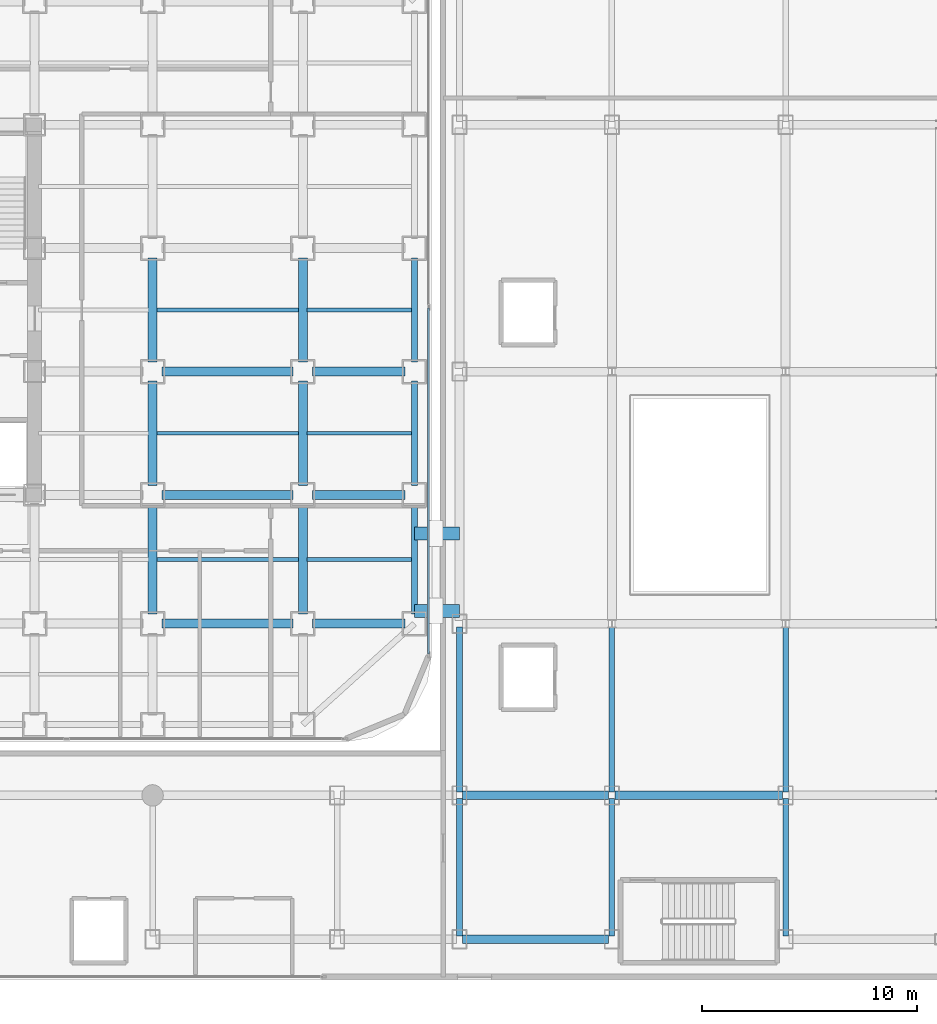
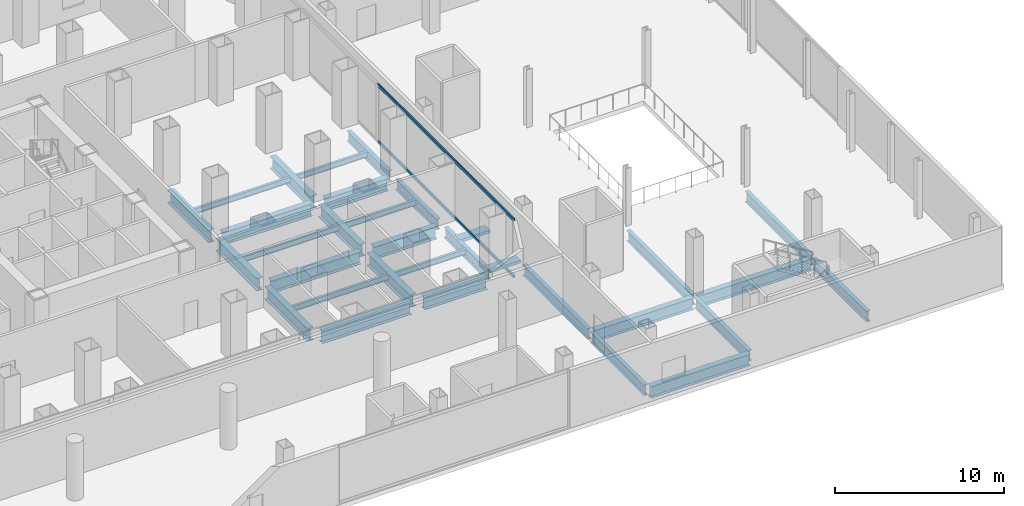
# One storey, part 11 of 26: 30 beams, 4 members, 1 element without a shape of its own.
"""IFC4 building model written with IfcOpenShell, lengths in metres."""

from ifc_helpers import new_model, si_unit, direction, frame, origin, origin_2d, place, context, subcontext, project, spatial, hollow_rectangle, i_section, extrude, source, transform, mapped, material, layer, layer_set, material_profile, profile_set, type_object, element, aggregate, save


model = new_model("IFC4")

# Units and contexts
model_context = context("Model", 3, precision=1e-05, world=origin(), true_north=direction((0.0, 1.0)))
body_context = subcontext(model_context, "Body", "Model", "MODEL_VIEW")
ifc_project = project(units=[si_unit("LENGTHUNIT", "METRE"), si_unit("AREAUNIT", "SQUARE_METRE"), si_unit("VOLUMEUNIT", "CUBIC_METRE"), si_unit("PLANEANGLEUNIT", "RADIAN"), si_unit("MASSUNIT", "GRAM", prefix="KILO")], contexts=[model_context])

# Site, building, storey
site_placement = place(None, origin())
site = spatial("IfcSite", under=ifc_project, at=site_placement, CompositionType="ELEMENT")
building_placement = place(site_placement, origin())
building = spatial("IfcBuilding", under=site, at=building_placement, Name="Kolveth Station Tower", CompositionType="ELEMENT")
storey_placement = place(building_placement, frame((0.0, 0.0, 9.0)))
storey = spatial("IfcBuildingStorey", under=building, at=storey_placement, Name="L02", CompositionType="ELEMENT", Elevation=9.0)

# Beams
ifc_material_1 = material(Name="Steel S355", Category="steel")
ifc_material_profile_1 = material_profile(ifc_material_1, i_section(OverallWidth=0.26904296875, OverallDepth=0.77490234375, WebThickness=0.01708984375, FlangeThickness=0.0283203125, at=origin_2d()), Name="W760x220")
ifc_profile_set_1 = profile_set([ifc_material_profile_1], Name="Steel S355")
beam_type_1 = type_object("IfcBeamType", Name="Beam_SP1", PredefinedType="SPANDREL", material=ifc_profile_set_1)
shared_shape_1 = source(origin(), body_context, "Body", "SweptSolid", [
    extrude(i_section(OverallWidth=0.26904296875, OverallDepth=0.77490234375, WebThickness=0.01708984375, FlangeThickness=0.0283203125, at=origin_2d()), origin(), (0.0, 0.0, 1.0), 5.10009765625),
])
beam_1_placement = place(storey_placement, frame((46.199951171875, 5.949951171875, -0.70751953125), z_axis=(0.0, 1.0, 0.0), x_axis=(-1.0, 0.0, 0.0)))
element("IfcBeam", 1, at=beam_1_placement, inside=storey, type_object=beam_type_1, Name="L02 Perimeter Spandrel BM-L02-PE-1", PredefinedType="SPANDREL", context=body_context, shape_type="MappedRepresentation", body=[
    mapped(shared_shape_1, transform((0.0, 0.0, 0.0), x_axis=(1.0, 0.0, 0.0), y_axis=(0.0, 1.0, 0.0), z_axis=(0.0, 0.0, 1.0), scale=1.0)),
])
shared_shape_2 = source(origin(), body_context, "Body", "SweptSolid", [
    extrude(i_section(OverallWidth=0.26904296875, OverallDepth=0.77490234375, WebThickness=0.01708984375, FlangeThickness=0.0283203125, at=origin_2d()), origin(), (0.0, 0.0, 1.0), 4.85009765625),
])
for number, where, z_axis, x_axis, name in (
    (2, (46.199951171875, 11.949951171875, -0.70751953125), (0.0, 1.0, 0.0), (-1.0, 0.0, 0.0), "L02 Perimeter Spandrel BM-L02-PE-2"),
    (3, (46.199951171875, 17.699951171875, -0.70751953125), (0.0, 1.0, 0.0), (-1.0, 0.0, 0.0), "L02 Perimeter Spandrel BM-L02-PE-3"),
):
    element("IfcBeam", number, at=place(storey_placement, frame(where, z_axis=z_axis, x_axis=x_axis)), inside=storey, type_object=beam_type_1, Name=name, PredefinedType="SPANDREL", context=body_context, shape_type="MappedRepresentation", body=[
        mapped(shared_shape_2, transform((0.0, 0.0, 0.0), x_axis=(1.0, 0.0, 0.0), y_axis=(0.0, 1.0, 0.0), z_axis=(0.0, 0.0, 1.0), scale=1.0)),
    ])
ifc_material_profile_2 = material_profile(ifc_material_1, i_section(OverallWidth=0.41796875, OverallDepth=0.912109375, WebThickness=0.019287109375, FlangeThickness=0.031982421875, at=origin_2d()), Name="W920x342")
ifc_profile_set_2 = profile_set([ifc_material_profile_2], Name="Steel S355")
beam_type_2 = type_object("IfcBeamType", Name="Beam_B1", PredefinedType="BEAM", material=ifc_profile_set_2)
shared_shape_3 = source(origin(), body_context, "Body", "SweptSolid", [
    extrude(i_section(OverallWidth=0.41796875, OverallDepth=0.912109375, WebThickness=0.019287109375, FlangeThickness=0.031982421875, at=origin_2d()), origin(), (0.0, 0.0, 1.0), 4.300048828125),
])
for number, where, z_axis, x_axis, name in (
    (4, (41.449951171875, 5.5, -0.77587890625), (1.0, 0.0, 0.0), (0.0, 1.0, 0.0), "L02 Primary Girder BM-L02-GY55-7"),
    (5, (41.449951171875, 11.5, -0.77587890625), (1.0, 0.0, 0.0), (0.0, 1.0, 0.0), "L02 Primary Girder BM-L02-GY115-7"),
    (6, (41.449951171875, 17.25, -0.77587890625), (1.0, 0.0, 0.0), (0.0, 1.0, 0.0), "L02 Primary Girder BM-L02-GY172-7"),
):
    element("IfcBeam", number, at=place(storey_placement, frame(where, z_axis=z_axis, x_axis=x_axis)), inside=storey, type_object=beam_type_2, Name=name, PredefinedType="BEAM", context=body_context, shape_type="MappedRepresentation", body=[
        mapped(shared_shape_3, transform((0.0, 0.0, 0.0), x_axis=(1.0, 0.0, 0.0), y_axis=(0.0, 1.0, 0.0), z_axis=(0.0, 0.0, 1.0), scale=1.0)),
    ])
shared_shape_4 = source(origin(), body_context, "Body", "SweptSolid", [
    extrude(i_section(OverallWidth=0.41796875, OverallDepth=0.912109375, WebThickness=0.019287109375, FlangeThickness=0.031982421875, at=origin_2d()), origin(), (0.0, 0.0, 1.0), 6.10009765625),
])
for number, where, z_axis, x_axis, name in (
    (7, (34.449951171875, 5.5, -0.77587890625), (1.0, 0.0, 0.0), (0.0, 1.0, 0.0), "L02 Primary Girder BM-L02-GY55-6"),
    (8, (34.449951171875, 11.5, -0.77587890625), (1.0, 0.0, 0.0), (0.0, 1.0, 0.0), "L02 Primary Girder BM-L02-GY115-6"),
    (9, (34.449951171875, 17.25, -0.77587890625), (1.0, 0.0, 0.0), (0.0, 1.0, 0.0), "L02 Primary Girder BM-L02-GY172-6"),
):
    element("IfcBeam", number, at=place(storey_placement, frame(where, z_axis=z_axis, x_axis=x_axis)), inside=storey, type_object=beam_type_2, Name=name, PredefinedType="BEAM", context=body_context, shape_type="MappedRepresentation", body=[
        mapped(shared_shape_4, transform((0.0, 0.0, 0.0), x_axis=(1.0, 0.0, 0.0), y_axis=(0.0, 1.0, 0.0), z_axis=(0.0, 0.0, 1.0), scale=1.0)),
    ])
shared_shape_5 = source(origin(), body_context, "Body", "SweptSolid", [
    extrude(i_section(OverallWidth=0.41796875, OverallDepth=0.912109375, WebThickness=0.019287109375, FlangeThickness=0.031982421875, at=origin_2d()), origin(), (0.0, 0.0, 1.0), 5.10009765625),
])
for number, where, z_axis, x_axis, name in (
    (10, (34.0, 5.949951171875, -0.77587890625), (0.0, 1.0, 0.0), (-1.0, 0.0, 0.0), "L02 Primary Girder BM-L02-GX340-2"),
    (11, (41.0, 5.949951171875, -0.77587890625), (0.0, 1.0, 0.0), (-1.0, 0.0, 0.0), "L02 Primary Girder BM-L02-GX410-2"),
):
    element("IfcBeam", number, at=place(storey_placement, frame(where, z_axis=z_axis, x_axis=x_axis)), inside=storey, type_object=beam_type_2, Name=name, PredefinedType="BEAM", context=body_context, shape_type="MappedRepresentation", body=[
        mapped(shared_shape_5, transform((0.0, 0.0, 0.0), x_axis=(1.0, 0.0, 0.0), y_axis=(0.0, 1.0, 0.0), z_axis=(0.0, 0.0, 1.0), scale=1.0)),
    ])
shared_shape_6 = source(origin(), body_context, "Body", "SweptSolid", [
    extrude(i_section(OverallWidth=0.41796875, OverallDepth=0.912109375, WebThickness=0.019287109375, FlangeThickness=0.031982421875, at=origin_2d()), origin(), (0.0, 0.0, 1.0), 4.85009765625),
])
for number, where, z_axis, x_axis, name in (
    (12, (34.0, 11.949951171875, -0.77587890625), (0.0, 1.0, 0.0), (-1.0, 0.0, 0.0), "L02 Primary Girder BM-L02-GX340-3"),
    (13, (34.0, 17.699951171875, -0.77587890625), (0.0, 1.0, 0.0), (-1.0, 0.0, 0.0), "L02 Primary Girder BM-L02-GX340-4"),
    (14, (41.0, 11.949951171875, -0.77587890625), (0.0, 1.0, 0.0), (-1.0, 0.0, 0.0), "L02 Primary Girder BM-L02-GX410-3"),
    (15, (41.0, 17.699951171875, -0.77587890625), (0.0, 1.0, 0.0), (-1.0, 0.0, 0.0), "L02 Primary Girder BM-L02-GX410-4"),
):
    element("IfcBeam", number, at=place(storey_placement, frame(where, z_axis=z_axis, x_axis=x_axis)), inside=storey, type_object=beam_type_2, Name=name, PredefinedType="BEAM", context=body_context, shape_type="MappedRepresentation", body=[
        mapped(shared_shape_6, transform((0.0, 0.0, 0.0), x_axis=(1.0, 0.0, 0.0), y_axis=(0.0, 1.0, 0.0), z_axis=(0.0, 0.0, 1.0), scale=1.0)),
    ])
ifc_material_profile_3 = material_profile(ifc_material_1, i_section(OverallWidth=0.177978515625, OverallDepth=0.406982421875, WebThickness=0.0078125, FlangeThickness=0.0126953125, at=origin_2d()), Name="W410x60")
ifc_profile_set_3 = profile_set([ifc_material_profile_3], Name="Steel S355")
beam_type_3 = type_object("IfcBeamType", Name="Beam_J1", PredefinedType="JOIST", material=ifc_profile_set_3)
shared_shape_7 = source(origin(), body_context, "Body", "SweptSolid", [
    extrude(i_section(OverallWidth=0.177978515625, OverallDepth=0.406982421875, WebThickness=0.0078125, FlangeThickness=0.0126953125, at=origin_2d()), origin(), (0.0, 0.0, 1.0), 4.872314453125),
])
for number, where, z_axis, x_axis, name in (
    (16, (41.195068359375, 8.5, -0.5234375), (1.0, 0.0, 0.0), (0.0, 1.0, 0.0), "L02 Secondary Joist JST-L02-7-2"),
    (17, (41.195068359375, 14.375, -0.5234375), (1.0, 0.0, 0.0), (0.0, 1.0, 0.0), "L02 Secondary Joist JST-L02-7-3"),
    (18, (41.195068359375, 20.125, -0.5234375), (1.0, 0.0, 0.0), (0.0, 1.0, 0.0), "L02 Secondary Joist JST-L02-7-4"),
):
    element("IfcBeam", number, at=place(storey_placement, frame(where, z_axis=z_axis, x_axis=x_axis)), inside=storey, type_object=beam_type_3, Name=name, PredefinedType="JOIST", context=body_context, shape_type="MappedRepresentation", body=[
        mapped(shared_shape_7, transform((0.0, 0.0, 0.0), x_axis=(1.0, 0.0, 0.0), y_axis=(0.0, 1.0, 0.0), z_axis=(0.0, 0.0, 1.0), scale=1.0)),
    ])
shared_shape_8 = source(origin(), body_context, "Body", "SweptSolid", [
    extrude(i_section(OverallWidth=0.177978515625, OverallDepth=0.406982421875, WebThickness=0.0078125, FlangeThickness=0.0126953125, at=origin_2d()), origin(), (0.0, 0.0, 1.0), 6.60986328125),
])
for number, where, z_axis, x_axis, name in (
    (19, (34.195068359375, 8.5, -0.5234375), (1.0, 0.0, 0.0), (0.0, 1.0, 0.0), "L02 Secondary Joist JST-L02-6-2"),
    (20, (34.195068359375, 14.375, -0.5234375), (1.0, 0.0, 0.0), (0.0, 1.0, 0.0), "L02 Secondary Joist JST-L02-6-3"),
    (21, (34.195068359375, 20.125, -0.5234375), (1.0, 0.0, 0.0), (0.0, 1.0, 0.0), "L02 Secondary Joist JST-L02-6-4"),
):
    element("IfcBeam", number, at=place(storey_placement, frame(where, z_axis=z_axis, x_axis=x_axis)), inside=storey, type_object=beam_type_3, Name=name, PredefinedType="JOIST", context=body_context, shape_type="MappedRepresentation", body=[
        mapped(shared_shape_8, transform((0.0, 0.0, 0.0), x_axis=(1.0, 0.0, 0.0), y_axis=(0.0, 1.0, 0.0), z_axis=(0.0, 0.0, 1.0), scale=1.0)),
    ])
ifc_material_profile_4 = material_profile(ifc_material_1, i_section(OverallWidth=0.40087890625, OverallDepth=0.85107421875, WebThickness=0.01611328125, FlangeThickness=0.025390625, at=origin_2d()), Name="W840x226")
ifc_profile_set_4 = profile_set([ifc_material_profile_4], Name="Steel S355")
beam_type_4 = type_object("IfcBeamType", Name="Beam_B2", PredefinedType="BEAM", material=ifc_profile_set_4)
shared_shape_9 = source(origin(), body_context, "Body", "SweptSolid", [
    extrude(i_section(OverallWidth=0.40087890625, OverallDepth=0.85107421875, WebThickness=0.01611328125, FlangeThickness=0.025390625, at=origin_2d()), origin(), (0.0, 0.0, 1.0), 6.800048828125),
])
for number, where, z_axis, x_axis, name in (
    (22, (48.449951171875, -9.199951171875, -0.74560546875), (1.0, 0.0, 0.0), (0.0, 1.0, 0.0), "L02 Station Portal Girder SBM-L02-EW-1-1"),
    (23, (48.449951171875, -2.5, -0.74560546875), (1.0, 0.0, 0.0), (0.0, 1.0, 0.0), "L02 Station Portal Girder SBM-L02-EW-2-1"),
):
    element("IfcBeam", number, at=place(storey_placement, frame(where, z_axis=z_axis, x_axis=x_axis)), inside=storey, type_object=beam_type_4, Name=name, PredefinedType="BEAM", context=body_context, shape_type="MappedRepresentation", body=[
        mapped(shared_shape_9, transform((0.0, 0.0, 0.0), x_axis=(1.0, 0.0, 0.0), y_axis=(0.0, 1.0, 0.0), z_axis=(0.0, 0.0, 1.0), scale=1.0)),
    ])
shared_shape_10 = source(origin(), body_context, "Body", "SweptSolid", [
    extrude(i_section(OverallWidth=0.40087890625, OverallDepth=0.85107421875, WebThickness=0.01611328125, FlangeThickness=0.025390625, at=origin_2d()), origin(), (0.0, 0.0, 1.0), 7.800048828125),
])
beam_2_placement = place(storey_placement, frame((55.550048828125, -2.5, -0.74560546875), z_axis=(1.0, 0.0, 0.0), x_axis=(0.0, 1.0, 0.0)))
element("IfcBeam", 24, at=beam_2_placement, inside=storey, type_object=beam_type_4, Name="L02 Station Portal Girder SBM-L02-EW-2-2", PredefinedType="BEAM", context=body_context, shape_type="MappedRepresentation", body=[
    mapped(shared_shape_10, transform((0.0, 0.0, 0.0), x_axis=(1.0, 0.0, 0.0), y_axis=(0.0, 1.0, 0.0), z_axis=(0.0, 0.0, 1.0), scale=1.0)),
])
ifc_material_profile_5 = material_profile(ifc_material_1, i_section(OverallWidth=0.26708984375, OverallDepth=0.76611328125, WebThickness=0.014892578125, FlangeThickness=0.023681640625, at=origin_2d()), Name="W760x185")
ifc_profile_set_5 = profile_set([ifc_material_profile_5], Name="Steel S355")
beam_type_5 = type_object("IfcBeamType", Name="Beam_B3", PredefinedType="BEAM", material=ifc_profile_set_5)
shared_shape_11 = source(origin(), body_context, "Body", "SweptSolid", [
    extrude(i_section(OverallWidth=0.26708984375, OverallDepth=0.76611328125, WebThickness=0.014892578125, FlangeThickness=0.023681640625, at=origin_2d()), origin(), (0.0, 0.0, 1.0), 6.400146484375),
])
for number, where, z_axis, x_axis, name in (
    (25, (48.300048828125, -9.050048828125, -0.702880859375), (0.0, 1.0, 0.0), (-1.0, 0.0, 0.0), "L02 Station Spine Girder SBM-L02-NS-1-1"),
    (26, (55.39990234375, -9.050048828125, -0.702880859375), (0.0, 1.0, 0.0), (-1.0, 0.0, 0.0), "L02 Station Spine Girder SBM-L02-NS-2-1"),
    (27, (63.5, -9.050048828125, -0.702880859375), (0.0, 1.0, 0.0), (-1.0, 0.0, 0.0), "L02 Station Spine Girder SBM-L02-NS-3-1"),
):
    element("IfcBeam", number, at=place(storey_placement, frame(where, z_axis=z_axis, x_axis=x_axis)), inside=storey, type_object=beam_type_5, Name=name, PredefinedType="BEAM", context=body_context, shape_type="MappedRepresentation", body=[
        mapped(shared_shape_11, transform((0.0, 0.0, 0.0), x_axis=(1.0, 0.0, 0.0), y_axis=(0.0, 1.0, 0.0), z_axis=(0.0, 0.0, 1.0), scale=1.0)),
    ])
shared_shape_12 = source(origin(), body_context, "Body", "SweptSolid", [
    extrude(i_section(OverallWidth=0.26708984375, OverallDepth=0.76611328125, WebThickness=0.014892578125, FlangeThickness=0.023681640625, at=origin_2d()), origin(), (0.0, 0.0, 1.0), 7.7001953125),
])
for number, where, z_axis, x_axis, name in (
    (28, (48.300048828125, -2.35009765625, -0.702880859375), (0.0, 1.0, 0.0), (-1.0, 0.0, 0.0), "L02 Station Spine Girder SBM-L02-NS-1-2"),
    (29, (55.39990234375, -2.35009765625, -0.702880859375), (0.0, 1.0, 0.0), (-1.0, 0.0, 0.0), "L02 Station Spine Girder SBM-L02-NS-2-2"),
    (30, (63.5, -2.35009765625, -0.702880859375), (0.0, 1.0, 0.0), (-1.0, 0.0, 0.0), "L02 Station Spine Girder SBM-L02-NS-3-2"),
):
    element("IfcBeam", number, at=place(storey_placement, frame(where, z_axis=z_axis, x_axis=x_axis)), inside=storey, type_object=beam_type_5, Name=name, PredefinedType="BEAM", context=body_context, shape_type="MappedRepresentation", body=[
        mapped(shared_shape_12, transform((0.0, 0.0, 0.0), x_axis=(1.0, 0.0, 0.0), y_axis=(0.0, 1.0, 0.0), z_axis=(0.0, 0.0, 1.0), scale=1.0)),
    ])

# Members
ifc_material_2 = material(Name="Steel S355 and PTFE elastomer", Category="steel")
ifc_material_profile_6 = material_profile(ifc_material_2, hollow_rectangle(XDim=0.60009765625, YDim=0.219970703125, WallThickness=0.0400390625, at=origin_2d()), Name="PTFE-BEARING-750x600")
ifc_profile_set_6 = profile_set([ifc_material_profile_6], Name="Steel S355 and PTFE elastomer")
member_type_1 = type_object("IfcMemberType", Name="Mem_BRG1", PredefinedType="USERDEFINED", material=ifc_profile_set_6)
shared_shape_13 = source(origin(), body_context, "Body", "SweptSolid", [
    extrude(hollow_rectangle(XDim=0.60009765625, YDim=0.219970703125, WallThickness=0.0400390625, at=origin_2d()), origin(), (0.0, 0.0, 1.0), 2.10009765625),
])
for number, where, z_axis, x_axis, name in (
    (31, (46.199951171875, 6.10009765625, -0.429931640625), (1.0, 0.0, 0.0), (0.0, 1.0, 0.0), "L02 Unguided PTFE Sliding Bearing 2.1"),
    (32, (46.199951171875, 9.699951171875, -0.429931640625), (1.0, 0.0, 0.0), (0.0, 1.0, 0.0), "L02 Unguided PTFE Sliding Bearing 2.2"),
):
    element("IfcMember", number, at=place(storey_placement, frame(where, z_axis=z_axis, x_axis=x_axis)), inside=storey, type_object=member_type_1, Name=name, ObjectType="BEARING", PredefinedType="USERDEFINED", context=body_context, shape_type="MappedRepresentation", body=[
        mapped(shared_shape_13, transform((0.0, 0.0, 0.0), x_axis=(1.0, 0.0, 0.0), y_axis=(0.0, 1.0, 0.0), z_axis=(0.0, 0.0, 1.0), scale=1.0)),
    ])

# Curtain wall, members
ifc_material_3 = material(Name="Black anodized aluminium 6063-T6 and clear station glass", Category="aluminium")
ifc_layer = layer(ifc_material_3, 0.239990234375)
ifc_layer_set = layer_set([ifc_layer], Name="Black anodized aluminium 6063-T6 and clear station glass")
curtain_wall_type = type_object("IfcCurtainWallType", Name="CurtainWall_CW-ST", PredefinedType="NOTDEFINED", material=ifc_layer_set)
curtain_wall_placement = place(storey_placement, origin())
curtain_wall = element("IfcCurtainWall", 33, at=curtain_wall_placement, inside=storey, type_object=curtain_wall_type, Name="L02 Tower Podium East Storefront Curtain Wall", PredefinedType="NOTDEFINED")
ifc_material_4 = material(Name="Black anodized aluminium 6063-T6", Category="aluminium")
ifc_material_profile_7 = material_profile(ifc_material_4, hollow_rectangle(XDim=0.094970703125, YDim=0.219970703125, WallThickness=0.0048828125, at=origin_2d()), Name="ALU-95x220x5")
ifc_profile_set_7 = profile_set([ifc_material_profile_7], Name="Black anodized aluminium 6063-T6")
member_type_2 = type_object("IfcMemberType", Name="Transom_TR-ST", PredefinedType="USERDEFINED", material=ifc_profile_set_7)
shared_shape_14 = source(origin(), body_context, "Body", "SweptSolid", [
    extrude(hollow_rectangle(XDim=0.094970703125, YDim=0.219970703125, WallThickness=0.0048828125, at=origin_2d()), origin(), (0.0, 0.0, 1.0), 16.099853515625),
])
member_1_placement = place(storey_placement, frame((46.860107421875, 4.10009765625, 0.047607421875), z_axis=(0.0, 1.0, 0.0), x_axis=(-1.0, 0.0, 0.0)))
member_1 = element("IfcMember", 34, at=member_1_placement, type_object=member_type_2, Name="CW-ST transom 1.1", ObjectType="TRANSOM", PredefinedType="USERDEFINED", context=body_context, shape_type="MappedRepresentation", body=[
    mapped(shared_shape_14, transform((0.0, 0.0, 0.0), x_axis=(1.0, 0.0, 0.0), y_axis=(0.0, 1.0, 0.0), z_axis=(0.0, 0.0, 1.0), scale=1.0)),
])
member_2_placement = place(storey_placement, frame((46.860107421875, 4.10009765625, 4.132568359375), z_axis=(0.0, 1.0, 0.0), x_axis=(-1.0, 0.0, 0.0)))
member_2 = element("IfcMember", 35, at=member_2_placement, type_object=member_type_2, Name="CW-ST transom 1.2", ObjectType="TRANSOM", PredefinedType="USERDEFINED", context=body_context, shape_type="MappedRepresentation", body=[
    mapped(shared_shape_14, transform((0.0, 0.0, 0.0), x_axis=(1.0, 0.0, 0.0), y_axis=(0.0, 1.0, 0.0), z_axis=(0.0, 0.0, 1.0), scale=1.0)),
])
aggregate(curtain_wall, [member_1, member_2])

save(model, "model.ifc")
